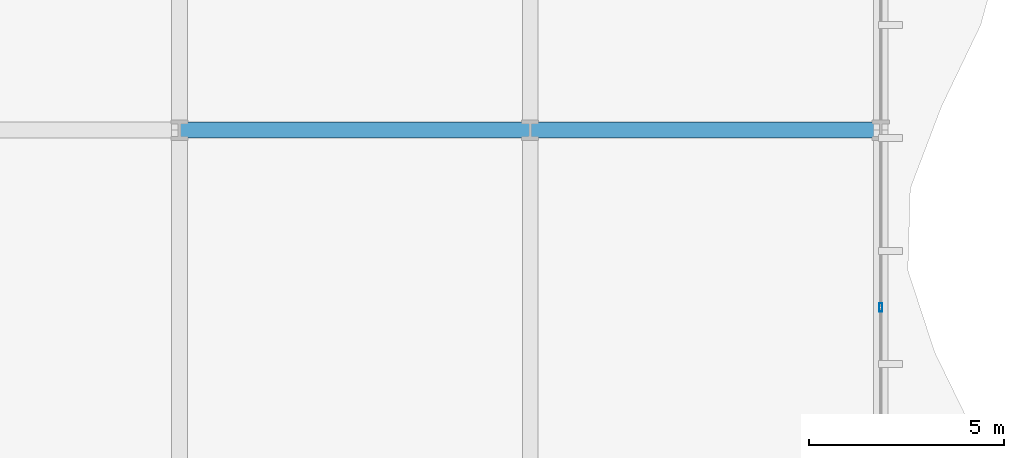
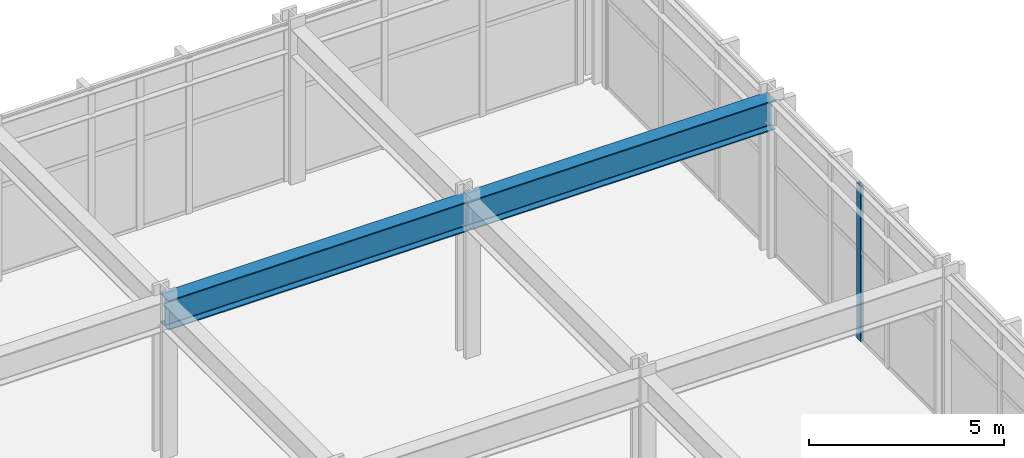
# One storey, part 17 of 31: 2 beams, 1 member, 1 element without a shape of its own.
"""IFC4 building model written with IfcOpenShell, lengths in metres."""

from ifc_helpers import new_model, si_unit, direction, frame, origin, origin_2d, place, context, subcontext, project, spatial, hollow_rectangle, i_section, extrude, material, layer, layer_set, material_profile, profile_set, type_object, element, aggregate, save


model = new_model("IFC4")

# Units and contexts
model_context = context("Model", 3, precision=1e-05, world=origin(), true_north=direction((0.0, 1.0)))
body_context = subcontext(model_context, "Body", "Model", "MODEL_VIEW")
ifc_project = project(units=[si_unit("LENGTHUNIT", "METRE"), si_unit("AREAUNIT", "SQUARE_METRE"), si_unit("VOLUMEUNIT", "CUBIC_METRE"), si_unit("PLANEANGLEUNIT", "RADIAN"), si_unit("MASSUNIT", "GRAM", prefix="KILO")], contexts=[model_context])

# Site, building, storey
site_placement = place(None, origin())
site = spatial("IfcSite", under=ifc_project, at=site_placement, CompositionType="ELEMENT")
building_placement = place(site_placement, origin())
building = spatial("IfcBuilding", under=site, at=building_placement, Name="Solvaryn Broadcast Tower", CompositionType="ELEMENT")
storey_placement = place(building_placement, frame((0.0, 0.0, 11.0)))
storey = spatial("IfcBuildingStorey", under=building, at=storey_placement, Name="L02", CompositionType="ELEMENT", Elevation=11.0)

# Beams
ifc_material_1 = material(Name="Steel ASTM A992 Grade 50", Category="steel")
ifc_material_profile_1 = material_profile(ifc_material_1, i_section(OverallWidth=0.41796875, OverallDepth=0.927001953125, WebThickness=0.019287109375, FlangeThickness=0.031982421875, FilletRadius=0.02392578125, at=origin_2d()))
ifc_profile_set_1 = profile_set([ifc_material_profile_1], Name="Steel ASTM A992 Grade 50")
beam_type = type_object("IfcBeamType", Name="BM-G2-W36X231", PredefinedType="BEAM", material=ifc_profile_set_1)
for number, where, z_axis, x_axis, name in (
    (1, (45.0, 45.0, 4.41650390625), (1.0, 0.0, 0.0), (0.0, 1.0, 0.0), "L02 Primary Beam X (45-54 @ Y=45)"),
    (2, (54.0, 45.0, 4.41650390625), (1.0, 0.0, 0.0), (0.0, 1.0, 0.0), "L02 Primary Beam X (54-63 @ Y=45)"),
):
    element("IfcBeam", number, at=place(storey_placement, frame(where, z_axis=z_axis, x_axis=x_axis)), inside=storey, type_object=beam_type, Name=name, PredefinedType="BEAM", context=body_context, shape_type="SweptSolid", body=[
        extrude(i_section(OverallWidth=0.41796875, OverallDepth=0.927001953125, WebThickness=0.019287109375, FlangeThickness=0.031982421875, FilletRadius=0.02392578125, at=origin_2d()), origin(), (0.0, 0.0, 1.0), 9.0),
    ])

# Curtain wall, member
ifc_material_2 = material(Name="Aluminium and Terracotta Unitised Curtain Wall", Category="masonry")
ifc_layer = layer(ifc_material_2, 0.219970703125)
ifc_layer_set = layer_set([ifc_layer], Name="CW-SYS1-PODIUM")
curtain_wall_type = type_object("IfcCurtainWallType", Name="CW-SYS1-PODIUM", PredefinedType="NOTDEFINED", material=ifc_layer_set)
curtain_wall_placement = place(storey_placement, origin())
curtain_wall = element("IfcCurtainWall", 3, at=curtain_wall_placement, inside=storey, type_object=curtain_wall_type, Name="L02 Podium Curtain Wall E1", PredefinedType="NOTDEFINED")
ifc_material_3 = material(Name="Anodised Aluminium 6063-T6", Category="aluminium")
ifc_material_profile_2 = material_profile(ifc_material_3, hollow_rectangle(XDim=0.0849609375, YDim=0.219970703125, WallThickness=0.0048828125, InnerFilletRadius=0.0048828125, OuterFilletRadius=0.010009765625, at=origin_2d()))
ifc_profile_set_2 = profile_set([ifc_material_profile_2], Name="Anodised Aluminium 6063-T6")
member_type = type_object("IfcMemberType", Name="CW-MUL-220", PredefinedType="MULLION", material=ifc_profile_set_2)
member_placement = place(storey_placement, frame((63.0, 40.449951171875, 0.0), z_axis=(0.0, 0.0, 1.0), x_axis=(1.0, 0.0, 0.0)))
member = element("IfcMember", 4, at=member_placement, type_object=member_type, Name="CWS1 mullion 2", PredefinedType="MULLION", context=body_context, shape_type="SweptSolid", body=[
    extrude(hollow_rectangle(XDim=0.0849609375, YDim=0.219970703125, WallThickness=0.0048828125, InnerFilletRadius=0.0048828125, OuterFilletRadius=0.010009765625, at=origin_2d()), origin(), (0.0, 0.0, 1.0), 4.8798828125),
])
aggregate(curtain_wall, [member])

save(model, "model.ifc")
